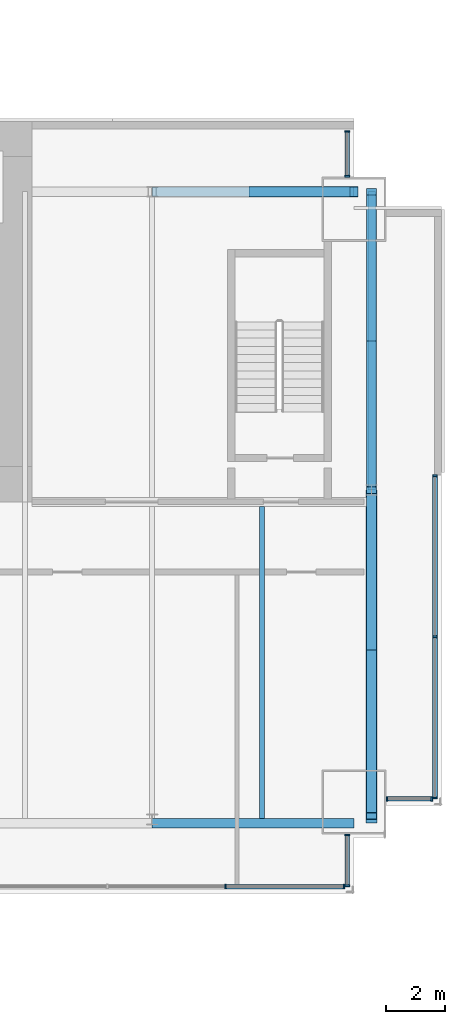
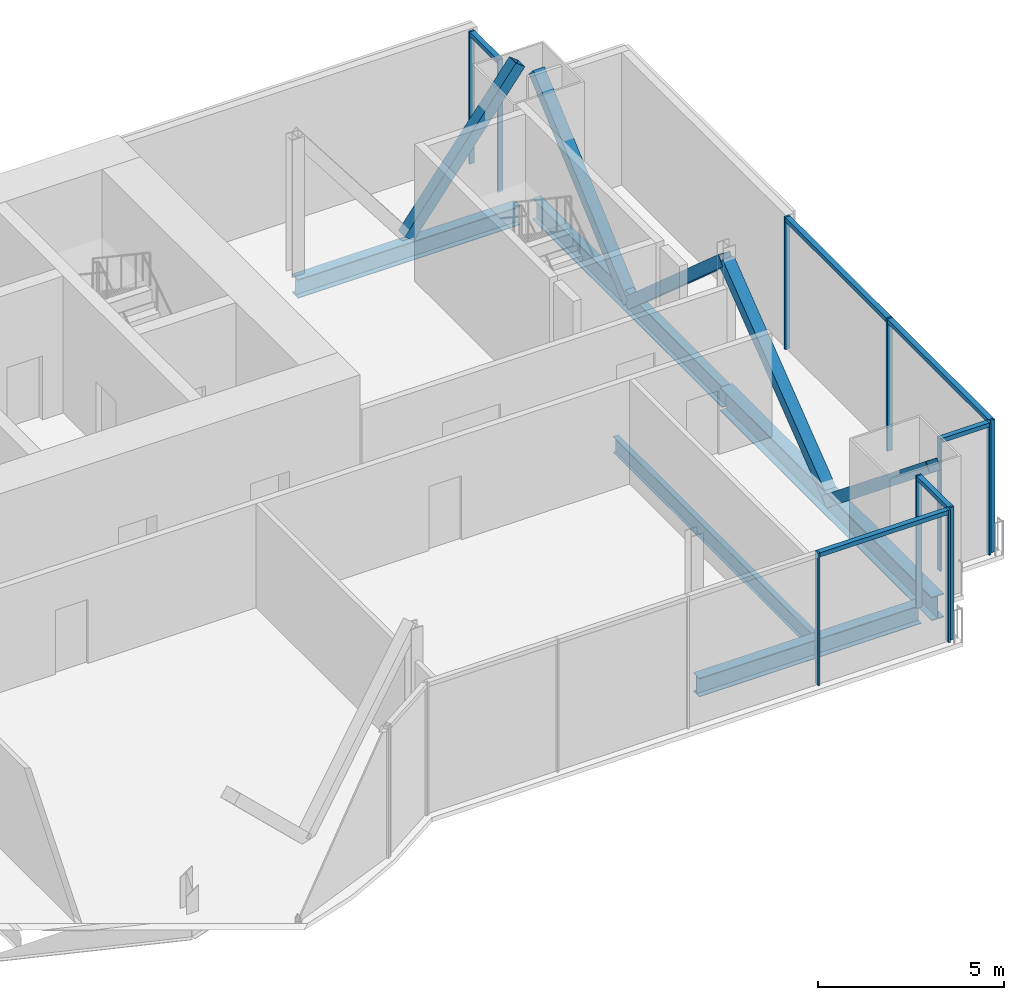
# One storey, part 10 of 18: 22 members, 5 beams, 5 elements without a shape of their own.
"""IFC4 building model written with IfcOpenShell, lengths in metres."""

import ifcopenshell
import ifcopenshell.guid

model = None  # the IFC model being written
_history = None  # IfcOwnerHistory: only IFC2X3 demands one
_inside = {}  # id of a spatial element -> (the spatial element, [elements in it])
_under = {}  # id of a project, library or spatial element -> (it, [spatial elements below it])
_declared = {}  # id of a project -> (the project, [libraries it declares])
_typed = {}  # id of a type object -> (the type object, [elements of that type])
_made_of = {}  # id of a material, layer set ... -> (it, [elements and type objects made of it])


def new_model(schema):
    """Start an empty IFC model of exactly this schema.

    Asked for "IFC4X3", IfcOpenShell would pick the latest addendum, in which some entities
    have other attributes; the version numbers below select the first issue.
    IFC2X3 requires an IfcOwnerHistory on every rooted entity: one is made here for all.
    """
    global model, _history
    if schema == "IFC4X3":
        model = ifcopenshell.file(schema_version=(4, 3, 0, 0))
    else:
        model = ifcopenshell.file(schema=schema)
    _inside.clear()
    _under.clear()
    _declared.clear()
    _typed.clear()
    _made_of.clear()
    _history = None
    if model.schema == "IFC2X3":
        org = make("IfcOrganization", Name="unknown")
        user = make(
            "IfcPersonAndOrganization",
            ThePerson=make("IfcPerson", FamilyName="unknown"),
            TheOrganization=org,
        )
        app = make(
            "IfcApplication",
            ApplicationDeveloper=org,
            Version="unknown",
            ApplicationFullName="unknown",
            ApplicationIdentifier="unknown",
        )
        _history = make(
            "IfcOwnerHistory",
            OwningUser=user,
            OwningApplication=app,
            ChangeAction="ADDED",
            CreationDate=0,
        )
    return model


def make(cls, **values):
    """One entity of the class cls with the attributes given. An attribute that is None is left unset."""
    return model.create_entity(
        cls, **{name: value for name, value in values.items() if value is not None}
    )


def rooted(cls, **values):
    """An entity with a GlobalId (a new one), such as an element, a storey or a relation."""
    return make(cls, GlobalId=ifcopenshell.guid.new(), OwnerHistory=_history, **values)


def si_unit(unit_type, name, prefix=None):
    """IfcSIUnit, for example si_unit("LENGTHUNIT", "METRE", prefix="MILLI")."""
    return make("IfcSIUnit", UnitType=unit_type, Prefix=prefix, Name=name)


def assignment(units):
    """IfcUnitAssignment: the units of a project."""
    return None if units is None else make("IfcUnitAssignment", Units=units)


def point(xyz):
    """IfcCartesianPoint."""
    return None if xyz is None else make("IfcCartesianPoint", Coordinates=xyz)


def direction(xyz):
    """IfcDirection."""
    return None if xyz is None else make("IfcDirection", DirectionRatios=xyz)


def frame(location, z_axis=None, x_axis=None):
    """IfcAxis2Placement3D, a coordinate frame: its origin and axes. An axis left out is left unset."""
    return make(
        "IfcAxis2Placement3D",
        Location=point(location),
        Axis=direction(z_axis),
        RefDirection=direction(x_axis),
    )


def frame_2d(location, x_axis=None):
    """IfcAxis2Placement2D, a coordinate frame in the plane: its origin and x axis."""
    return make(
        "IfcAxis2Placement2D", Location=point(location), RefDirection=direction(x_axis)
    )


def origin():
    """The frame at (0, 0, 0) with its axes left unset."""
    return frame((0.0, 0.0, 0.0))


def origin_2d():
    """The frame at (0, 0) in the plane with its x axis left unset."""
    return frame_2d((0.0, 0.0))


def place(relative_to, where):
    """IfcLocalPlacement: puts the frame where relative to a parent placement (None: the world)."""
    return make(
        "IfcLocalPlacement", PlacementRelTo=relative_to, RelativePlacement=where
    )


def context(
    kind, dimensions, precision=None, world=None, true_north=None, identifier=None
):
    """IfcGeometricRepresentationContext, for example the 3D "Model" context."""
    return make(
        "IfcGeometricRepresentationContext",
        ContextIdentifier=identifier,
        ContextType=kind,
        CoordinateSpaceDimension=dimensions,
        Precision=precision,
        WorldCoordinateSystem=world,
        TrueNorth=true_north,
    )


def subcontext(parent, identifier, kind, view, scale=None):
    """IfcGeometricRepresentationSubContext, for example "Body" below "Model"."""
    return make(
        "IfcGeometricRepresentationSubContext",
        ContextIdentifier=identifier,
        ContextType=kind,
        ParentContext=parent,
        TargetScale=scale,
        TargetView=view,
    )


def project(units=None, contexts=None):
    """IfcProject with its units and contexts."""
    return rooted(
        "IfcProject",
        Name="project",
        RepresentationContexts=contexts,
        UnitsInContext=assignment(units),
    )


def spatial(cls, under=None, at=None, **own):
    """A site, building, storey or space (cls), placed at a placement, below another one or the project."""
    s = rooted(cls, ObjectPlacement=at, **own)
    if under is not None:
        _under.setdefault(under.id(), (under, []))[1].append(s)
    return s


def profile(cls, at=None, kind="AREA", **sizes):
    """A parametric profile (cls). Its sizes go by their IFC names, for example OverallWidth=200.0."""
    return make(cls, ProfileType=kind, Position=at, **sizes)


def rectangle(**sizes):
    """IfcRectangleProfileDef."""
    return profile("IfcRectangleProfileDef", **sizes)


def hollow_rectangle(**sizes):
    """IfcRectangleHollowProfileDef."""
    return profile("IfcRectangleHollowProfileDef", **sizes)


def i_section(**sizes):
    """IfcIShapeProfileDef."""
    return profile("IfcIShapeProfileDef", **sizes)


def extrude(swept, where, along, depth):
    """IfcExtrudedAreaSolid: the profile swept, set in the frame where, extruded along a direction by depth."""
    return make(
        "IfcExtrudedAreaSolid",
        SweptArea=swept,
        Position=where,
        ExtrudedDirection=direction(along),
        Depth=depth,
    )


def shape(context_of_items, identifier, shape_type, items):
    """IfcShapeRepresentation: the items that make up one representation, for example the "Body"."""
    return make(
        "IfcShapeRepresentation",
        ContextOfItems=context_of_items,
        RepresentationIdentifier=identifier,
        RepresentationType=shape_type,
        Items=items,
    )


def material(Name=None, Category=None):
    """IfcMaterial."""
    return make("IfcMaterial", Name=Name, Category=Category)


def material_profile(
    of_material, cross_section, Name=None, Category=None, Priority=None
):
    """IfcMaterialProfile: a cross section and its material."""
    return make(
        "IfcMaterialProfile",
        Name=Name,
        Material=of_material,
        Profile=cross_section,
        Priority=Priority,
        Category=Category,
    )


def profile_set(profiles, Name=None, composite=None):
    """IfcMaterialProfileSet."""
    return make(
        "IfcMaterialProfileSet",
        Name=Name,
        MaterialProfiles=profiles,
        CompositeProfile=composite,
    )


def made_of(thing, what):
    """Note that an element or type object is made of a material, layer set ...; save() writes the relation."""
    if what is not None:
        _made_of.setdefault(what.id(), (what, []))[1].append(thing)
    return thing


def type_object(cls, material=None, **own):
    """A type object (cls), such as IfcWallType, which elements share."""
    return made_of(rooted(cls, **own), material)


def element(
    cls,
    number,
    at=None,
    inside=None,
    cuts=None,
    type_object=None,
    material=None,
    context=None,
    identifier="Body",
    shape_type=None,
    held_by="IfcProductDefinitionShape",
    body=None,
    shapes=None,
    **own,
):
    """One element of the class cls, such as IfcWall. Its Tag is "e" and its number.

    at: its placement. inside: the storey or other place that contains it. cuts: it is an
    opening in that element (IfcRelVoidsElement). A single representation is given by context,
    identifier, shape_type and body (its items); several are given by shapes. held_by: the class
    of the entity that holds the representations. save() writes the other relations.
    """
    e = rooted(cls, Tag="e%d" % number, ObjectPlacement=at, **own)
    if body is not None:
        shapes = [shape(context, identifier, shape_type, body)]
    if shapes is not None:
        e.Representation = make(held_by, Representations=shapes)
    if inside is not None:
        _inside.setdefault(inside.id(), (inside, []))[1].append(e)
    if cuts is not None:
        rooted(
            "IfcRelVoidsElement", RelatingBuildingElement=cuts, RelatedOpeningElement=e
        )
    if type_object is not None:
        _typed.setdefault(type_object.id(), (type_object, []))[1].append(e)
    return made_of(e, material)


def aggregate(whole, parts):
    """IfcRelAggregates: a whole, such as a stair, and the parts it consists of."""
    return rooted("IfcRelAggregates", RelatingObject=whole, RelatedObjects=parts)


def save(model, path):
    """Write the relations noted so far, then the file.

    IfcRelAggregates (storeys below a building ...), IfcRelContainedInSpatialStructure (elements
    in a storey), IfcRelDefinesByType, IfcRelAssociatesMaterial and IfcRelDeclares: one each for
    every whole, place, type object, material and project.
    """
    for whole, parts in _under.values():
        aggregate(whole, parts)
    for where, things in _inside.values():
        rooted(
            "IfcRelContainedInSpatialStructure",
            RelatedElements=things,
            RelatingStructure=where,
        )
    for kind, things in _typed.values():
        rooted("IfcRelDefinesByType", RelatedObjects=things, RelatingType=kind)
    for what, things in _made_of.values():
        rooted("IfcRelAssociatesMaterial", RelatedObjects=things, RelatingMaterial=what)
    for by, libraries in _declared.values():
        rooted("IfcRelDeclares", RelatingContext=by, RelatedDefinitions=libraries)
    model.write(path)


model = new_model("IFC4")

# Units and contexts
model_context = context("Model", 3, precision=1e-05, world=origin(), true_north=direction((0.0, 1.0)))
body_context = subcontext(model_context, "Body", "Model", "MODEL_VIEW")
ifc_project = project(units=[si_unit("LENGTHUNIT", "METRE"), si_unit("AREAUNIT", "SQUARE_METRE"), si_unit("VOLUMEUNIT", "CUBIC_METRE"), si_unit("PLANEANGLEUNIT", "RADIAN"), si_unit("MASSUNIT", "GRAM", prefix="KILO")], contexts=[model_context])

# Site, building, storey
site_placement = place(None, origin())
site = spatial("IfcSite", under=ifc_project, at=site_placement, CompositionType="ELEMENT")
building_placement = place(site_placement, origin())
building = spatial("IfcBuilding", under=site, at=building_placement, Name="Bicima Exchange Tower", CompositionType="ELEMENT")
storey_placement = place(building_placement, frame((0.0, 0.0, 311.0)))
storey = spatial("IfcBuildingStorey", under=building, at=storey_placement, Name="L70", CompositionType="ELEMENT", Elevation=311.0)

# Curtain wall, members
ifc_material_1 = material(Name="Anodised bronze aluminium", Category="aluminium")
curtain_wall_type_1 = type_object("IfcCurtainWallType", Name="End face glass wall", PredefinedType="NOTDEFINED", material=ifc_material_1)
curtain_wall_1_placement = place(storey_placement, origin())
curtain_wall_1 = element("IfcCurtainWall", 1, at=curtain_wall_1_placement, inside=storey, type_object=curtain_wall_type_1, Name="End face glass wall L70 run 19", PredefinedType="NOTDEFINED")
ifc_material_profile_1 = material_profile(ifc_material_1, rectangle(XDim=0.159912109375, YDim=0.06005859375, at=origin_2d()))
ifc_profile_set_1 = profile_set([ifc_material_profile_1], Name="Anodised bronze aluminium")
member_type_1 = type_object("IfcMemberType", Name="End face glass wall mullion 60 x 160", PredefinedType="MULLION", material=ifc_profile_set_1)
member_1_placement = place(storey_placement, frame((35.77001953125, -23.1240234375, 0.0), z_axis=(0.0, 0.0, 1.0), x_axis=(-1.0, 0.0, 0.0)))
member_1 = element("IfcMember", 2, at=member_1_placement, type_object=member_type_1, Name="End face glass wall mullion 1", PredefinedType="MULLION", context=body_context, shape_type="SweptSolid", body=[
    extrude(rectangle(XDim=0.159912109375, YDim=0.06005859375, at=origin_2d()), origin(), (0.0, 0.0, 1.0), 4.35009765625),
])
member_2_placement = place(storey_placement, frame((35.77001953125, -17.616943359375, 0.0), z_axis=(0.0, 0.0, 1.0), x_axis=(-1.0, 0.0, 0.0)))
member_2 = element("IfcMember", 3, at=member_2_placement, type_object=member_type_1, Name="End face glass wall mullion 2", PredefinedType="MULLION", context=body_context, shape_type="SweptSolid", body=[
    extrude(rectangle(XDim=0.159912109375, YDim=0.06005859375, at=origin_2d()), origin(), (0.0, 0.0, 1.0), 4.35009765625),
])
member_3_placement = place(storey_placement, frame((35.77001953125, -12.110107421875, 0.0), z_axis=(0.0, 0.0, 1.0), x_axis=(-1.0, 0.0, 0.0)))
member_3 = element("IfcMember", 4, at=member_3_placement, type_object=member_type_1, Name="End face glass wall mullion 3", PredefinedType="MULLION", context=body_context, shape_type="SweptSolid", body=[
    extrude(rectangle(XDim=0.159912109375, YDim=0.06005859375, at=origin_2d()), origin(), (0.0, 0.0, 1.0), 4.35009765625),
])
ifc_material_profile_2 = material_profile(ifc_material_1, rectangle(XDim=0.159912109375, YDim=0.139892578125, at=origin_2d()))
ifc_profile_set_2 = profile_set([ifc_material_profile_2], Name="Anodised bronze aluminium")
member_type_2 = type_object("IfcMemberType", Name="End face glass wall transom 140 x 160", PredefinedType="USERDEFINED", material=ifc_profile_set_2)
member_4_placement = place(storey_placement, frame((35.77001953125, -23.093994140625, 4.280029296875), z_axis=(0.0, 1.0, 0.0), x_axis=(-1.0, 0.0, 0.0)))
member_4 = element("IfcMember", 5, at=member_4_placement, type_object=member_type_2, Name="End face glass wall transom 1.1", ObjectType="TRANSOM", PredefinedType="USERDEFINED", context=body_context, shape_type="SweptSolid", body=[
    extrude(rectangle(XDim=0.159912109375, YDim=0.139892578125, at=origin_2d()), origin(), (0.0, 0.0, 1.0), 5.447021484375),
])
member_5_placement = place(storey_placement, frame((35.77001953125, -17.5869140625, 4.280029296875), z_axis=(0.0, 1.0, 0.0), x_axis=(-1.0, 0.0, 0.0)))
member_5 = element("IfcMember", 6, at=member_5_placement, type_object=member_type_2, Name="End face glass wall transom 2.1", ObjectType="TRANSOM", PredefinedType="USERDEFINED", context=body_context, shape_type="SweptSolid", body=[
    extrude(rectangle(XDim=0.159912109375, YDim=0.139892578125, at=origin_2d()), origin(), (0.0, 0.0, 1.0), 5.447021484375),
])
aggregate(curtain_wall_1, [member_1, member_2, member_3, member_4, member_5])

# Beams
ifc_material_2 = material(Name="Steel ASTM A992 Gr 50", Category="steel")
ifc_material_profile_3 = material_profile(ifc_material_2, i_section(OverallWidth=0.256591796875, OverallDepth=0.693359375, WebThickness=0.014404296875, FlangeThickness=0.023681640625, at=origin_2d()))
ifc_profile_set_3 = profile_set([ifc_material_profile_3], Name="Steel ASTM A992 Gr 50")
beam_type_1 = type_object("IfcBeamType", Name="End girder W27x114", PredefinedType="BEAM", material=ifc_profile_set_3)
beam_1_placement = place(storey_placement, frame((33.60009765625, -2.39990234375, -0.49658203125), z_axis=(0.0, -1.0, 0.0), x_axis=(1.0, 0.0, 0.0)))
element("IfcBeam", 7, at=beam_1_placement, inside=storey, type_object=beam_type_1, Name="End girder", PredefinedType="BEAM", context=body_context, shape_type="SweptSolid", body=[
    extrude(i_section(OverallWidth=0.256591796875, OverallDepth=0.693359375, WebThickness=0.014404296875, FlangeThickness=0.023681640625, at=origin_2d()), origin(), (0.0, 0.0, 1.0), 10.2001953125),
])
ifc_material_profile_4 = material_profile(ifc_material_2, i_section(OverallWidth=0.381103515625, OverallDepth=0.772216796875, WebThickness=0.0166015625, FlangeThickness=0.027099609375, at=origin_2d()))
ifc_profile_set_4 = profile_set([ifc_material_profile_4], Name="Steel ASTM A992 Gr 50")
beam_type_2 = type_object("IfcBeamType", Name="End girder W30x173", PredefinedType="BEAM", material=ifc_profile_set_4)
beam_2_placement = place(storey_placement, frame((33.60009765625, -12.60009765625, -0.5361328125), z_axis=(0.0, -1.0, 0.0), x_axis=(1.0, 0.0, 0.0)))
element("IfcBeam", 8, at=beam_2_placement, inside=storey, type_object=beam_type_2, Name="End girder", PredefinedType="BEAM", context=body_context, shape_type="SweptSolid", body=[
    extrude(i_section(OverallWidth=0.381103515625, OverallDepth=0.772216796875, WebThickness=0.0166015625, FlangeThickness=0.027099609375, at=origin_2d()), origin(), (0.0, 0.0, 1.0), 11.3837890625),
])
ifc_material_profile_5 = material_profile(ifc_material_2, i_section(OverallWidth=0.165771484375, OverallDepth=0.5283203125, WebThickness=0.009765625, FlangeThickness=0.013671875, at=origin_2d()))
ifc_profile_set_5 = profile_set([ifc_material_profile_5], Name="Steel ASTM A992 Gr 50")
beam_type_3 = type_object("IfcBeamType", Name="Floor beam W21x50", PredefinedType="JOIST", material=ifc_profile_set_5)
beam_3_placement = place(storey_placement, frame((29.85009765625, -13.15234375, -0.414306640625), z_axis=(0.0, -1.0, 0.0), x_axis=(1.0, 0.0, 0.0)))
element("IfcBeam", 9, at=beam_3_placement, inside=storey, type_object=beam_type_3, Name="Floor beam", PredefinedType="JOIST", context=body_context, shape_type="SweptSolid", body=[
    extrude(i_section(OverallWidth=0.165771484375, OverallDepth=0.5283203125, WebThickness=0.009765625, FlangeThickness=0.013671875, at=origin_2d()), origin(), (0.0, 0.0, 1.0), 10.6689453125),
])
ifc_material_profile_6 = material_profile(ifc_material_2, i_section(OverallWidth=0.3251953125, OverallDepth=0.612060546875, WebThickness=0.0126953125, FlangeThickness=0.01904296875, at=origin_2d()))
ifc_profile_set_6 = profile_set([ifc_material_profile_6], Name="Steel ASTM A992 Gr 50")
beam_type_4 = type_object("IfcBeamType", Name="Front girder W24x104", PredefinedType="BEAM", material=ifc_profile_set_6)
beam_4_placement = place(storey_placement, frame((26.10009765625, -23.98388671875, -0.4560546875), z_axis=(1.0, 0.0, 0.0), x_axis=(0.0, 1.0, 0.0)))
element("IfcBeam", 10, at=beam_4_placement, inside=storey, type_object=beam_type_4, Name="Front girder", PredefinedType="BEAM", context=body_context, shape_type="SweptSolid", body=[
    extrude(i_section(OverallWidth=0.3251953125, OverallDepth=0.612060546875, WebThickness=0.0126953125, FlangeThickness=0.01904296875, at=origin_2d()), origin(), (0.0, 0.0, 1.0), 6.89990234375),
])

# Curtain wall, members
curtain_wall_type_2 = type_object("IfcCurtainWallType", Name="Front glass wall", PredefinedType="NOTDEFINED", material=ifc_material_1)
curtain_wall_2_placement = place(storey_placement, origin())
curtain_wall_2 = element("IfcCurtainWall", 11, at=curtain_wall_2_placement, inside=storey, type_object=curtain_wall_type_2, Name="Front glass wall L70 run 16", PredefinedType="NOTDEFINED")
member_type_3 = type_object("IfcMemberType", Name="Front glass wall mullion 60 x 160", PredefinedType="MULLION", material=ifc_profile_set_1)
member_6_placement = place(storey_placement, frame((28.610595703125, -26.154052734375, 0.0), z_axis=(0.0, 0.0, 1.0), x_axis=(0.0, 1.0, 0.0)))
member_6 = element("IfcMember", 12, at=member_6_placement, type_object=member_type_3, Name="Front glass wall mullion 4", PredefinedType="MULLION", context=body_context, shape_type="SweptSolid", body=[
    extrude(rectangle(XDim=0.159912109375, YDim=0.06005859375, at=origin_2d()), origin(), (0.0, 0.0, 1.0), 4.35009765625),
])
member_7_placement = place(storey_placement, frame((32.659912109375, -26.154052734375, 0.0), z_axis=(0.0, 0.0, 1.0), x_axis=(0.0, 1.0, 0.0)))
member_7 = element("IfcMember", 13, at=member_7_placement, type_object=member_type_3, Name="Front glass wall mullion 5", PredefinedType="MULLION", context=body_context, shape_type="SweptSolid", body=[
    extrude(rectangle(XDim=0.159912109375, YDim=0.06005859375, at=origin_2d()), origin(), (0.0, 0.0, 1.0), 4.35009765625),
])

curtain_wall_3_placement = place(storey_placement, origin())
curtain_wall_3 = element("IfcCurtainWall", 14, at=curtain_wall_3_placement, inside=storey, type_object=curtain_wall_type_2, Name="Front glass wall L70 run 17", PredefinedType="NOTDEFINED")
member_8_placement = place(storey_placement, frame((32.77001953125, -26.1240234375, 0.0), z_axis=(0.0, 0.0, 1.0), x_axis=(-1.0, 0.0, 0.0)))
member_8 = element("IfcMember", 15, at=member_8_placement, type_object=member_type_3, Name="Front glass wall mullion 1", PredefinedType="MULLION", context=body_context, shape_type="SweptSolid", body=[
    extrude(rectangle(XDim=0.159912109375, YDim=0.06005859375, at=origin_2d()), origin(), (0.0, 0.0, 1.0), 4.35009765625),
])
member_9_placement = place(storey_placement, frame((32.77001953125, -24.39208984375, 0.0), z_axis=(0.0, 0.0, 1.0), x_axis=(-1.0, 0.0, 0.0)))
member_9 = element("IfcMember", 16, at=member_9_placement, type_object=member_type_3, Name="Front glass wall mullion 2", PredefinedType="MULLION", context=body_context, shape_type="SweptSolid", body=[
    extrude(rectangle(XDim=0.159912109375, YDim=0.06005859375, at=origin_2d()), origin(), (0.0, 0.0, 1.0), 4.35009765625),
])

curtain_wall_4_placement = place(storey_placement, origin())
curtain_wall_4 = element("IfcCurtainWall", 17, at=curtain_wall_4_placement, inside=storey, type_object=curtain_wall_type_2, Name="Front glass wall L70 run 18", PredefinedType="NOTDEFINED")
member_10_placement = place(storey_placement, frame((34.1298828125, -23.154052734375, 0.0), z_axis=(0.0, 0.0, 1.0), x_axis=(0.0, 1.0, 0.0)))
member_10 = element("IfcMember", 18, at=member_10_placement, type_object=member_type_3, Name="Front glass wall mullion 1", PredefinedType="MULLION", context=body_context, shape_type="SweptSolid", body=[
    extrude(rectangle(XDim=0.159912109375, YDim=0.06005859375, at=origin_2d()), origin(), (0.0, 0.0, 1.0), 4.35009765625),
])
member_11_placement = place(storey_placement, frame((35.659912109375, -23.154052734375, 0.0), z_axis=(0.0, 0.0, 1.0), x_axis=(0.0, 1.0, 0.0)))
member_11 = element("IfcMember", 19, at=member_11_placement, type_object=member_type_3, Name="Front glass wall mullion 2", PredefinedType="MULLION", context=body_context, shape_type="SweptSolid", body=[
    extrude(rectangle(XDim=0.159912109375, YDim=0.06005859375, at=origin_2d()), origin(), (0.0, 0.0, 1.0), 4.35009765625),
])

curtain_wall_5_placement = place(storey_placement, origin())
curtain_wall_5 = element("IfcCurtainWall", 20, at=curtain_wall_5_placement, inside=storey, type_object=curtain_wall_type_2, Name="Front glass wall L70 run 20", PredefinedType="NOTDEFINED")
member_12_placement = place(storey_placement, frame((32.77001953125, -1.8701171875, 0.0), z_axis=(0.0, 0.0, 1.0), x_axis=(-1.0, 0.0, 0.0)))
member_12 = element("IfcMember", 21, at=member_12_placement, type_object=member_type_3, Name="Front glass wall mullion 1", PredefinedType="MULLION", context=body_context, shape_type="SweptSolid", body=[
    extrude(rectangle(XDim=0.159912109375, YDim=0.06005859375, at=origin_2d()), origin(), (0.0, 0.0, 1.0), 4.35009765625),
])
member_13_placement = place(storey_placement, frame((32.77001953125, -0.340087890625, 0.0), z_axis=(0.0, 0.0, 1.0), x_axis=(-1.0, 0.0, 0.0)))
member_13 = element("IfcMember", 22, at=member_13_placement, type_object=member_type_3, Name="Front glass wall mullion 2", PredefinedType="MULLION", context=body_context, shape_type="SweptSolid", body=[
    extrude(rectangle(XDim=0.159912109375, YDim=0.06005859375, at=origin_2d()), origin(), (0.0, 0.0, 1.0), 4.35009765625),
])

# Member
member_type_4 = type_object("IfcMemberType", Name="Front glass wall transom 140 x 160", PredefinedType="USERDEFINED", material=ifc_profile_set_2)
member_14_placement = place(storey_placement, frame((28.640380859375, -26.154052734375, 4.280029296875), z_axis=(1.0, 0.0, 0.0), x_axis=(0.0, 1.0, 0.0)))
member_14 = element("IfcMember", 23, at=member_14_placement, type_object=member_type_4, Name="Front glass wall transom 4.1", ObjectType="TRANSOM", PredefinedType="USERDEFINED", context=body_context, shape_type="SweptSolid", body=[
    extrude(rectangle(XDim=0.159912109375, YDim=0.139892578125, at=origin_2d()), origin(), (0.0, 0.0, 1.0), 3.989501953125),
])

aggregate(curtain_wall_2, [member_6, member_7, member_14])

member_15_placement = place(storey_placement, frame((32.77001953125, -26.093994140625, 4.280029296875), z_axis=(0.0, 1.0, 0.0), x_axis=(-1.0, 0.0, 0.0)))
member_15 = element("IfcMember", 24, at=member_15_placement, type_object=member_type_4, Name="Front glass wall transom 1.1", ObjectType="TRANSOM", PredefinedType="USERDEFINED", context=body_context, shape_type="SweptSolid", body=[
    extrude(rectangle(XDim=0.159912109375, YDim=0.139892578125, at=origin_2d()), origin(), (0.0, 0.0, 1.0), 1.671875),
])

aggregate(curtain_wall_3, [member_8, member_9, member_15])

member_16_placement = place(storey_placement, frame((34.159912109375, -23.154052734375, 4.280029296875), z_axis=(1.0, 0.0, 0.0), x_axis=(0.0, 1.0, 0.0)))
member_16 = element("IfcMember", 25, at=member_16_placement, type_object=member_type_4, Name="Front glass wall transom 1.1", ObjectType="TRANSOM", PredefinedType="USERDEFINED", context=body_context, shape_type="SweptSolid", body=[
    extrude(rectangle(XDim=0.159912109375, YDim=0.139892578125, at=origin_2d()), origin(), (0.0, 0.0, 1.0), 1.469970703125),
])

aggregate(curtain_wall_4, [member_10, member_11, member_16])

member_17_placement = place(storey_placement, frame((32.77001953125, -1.840087890625, 4.280029296875), z_axis=(0.0, 1.0, 0.0), x_axis=(-1.0, 0.0, 0.0)))
member_17 = element("IfcMember", 26, at=member_17_placement, type_object=member_type_4, Name="Front glass wall transom 1.1", ObjectType="TRANSOM", PredefinedType="USERDEFINED", context=body_context, shape_type="SweptSolid", body=[
    extrude(rectangle(XDim=0.159912109375, YDim=0.139892578125, at=origin_2d()), origin(), (0.0, 0.0, 1.0), 1.469970703125),
])

aggregate(curtain_wall_5, [member_12, member_13, member_17])

# Members
ifc_material_3 = material(Name="Steel ASTM A572 Gr 50", Category="steel")
ifc_material_profile_7 = material_profile(ifc_material_3, hollow_rectangle(XDim=0.355712890625, YDim=0.355712890625, WallThickness=0.01171875, at=origin_2d()))
ifc_profile_set_7 = profile_set([ifc_material_profile_7], Name="Steel ASTM A572 Gr 50")
member_type_5 = type_object("IfcMemberType", Name="Mega brace HSS14x14x1/2", PredefinedType="BRACE", material=ifc_profile_set_7)
member_18_placement = place(storey_placement, frame((29.550048828125, -2.39990234375, 0.0), z_axis=(0.608426120198, 0.0, 0.793610519248), x_axis=(0.0, 1.0, 0.0)))
element("IfcMember", 27, at=member_18_placement, inside=storey, type_object=member_type_5, Name="Mega brace rear", PredefinedType="BRACE", context=body_context, shape_type="SweptSolid", body=[
    extrude(hollow_rectangle(XDim=0.355712890625, YDim=0.355712890625, WallThickness=0.01171875, at=origin_2d()), origin(), (0.0, 0.0, 1.0), 5.670166015625),
])
for number, where, z_axis, x_axis, name in (
    (28, (33.60009765625, -7.5, -0.49658203125), (0.0, -0.749844140428, 0.661614513948), (1.0, 0.0, 0.0), "Mega brace east end"),
    (29, (33.60009765625, -7.5, -0.49658203125), (0.0, 0.749844140428, 0.661614513948), (-1.0, 0.0, 0.0), "Mega brace east end"),
):
    element("IfcMember", number, at=place(storey_placement, frame(where, z_axis=z_axis, x_axis=x_axis)), inside=storey, type_object=member_type_5, Name=name, PredefinedType="BRACE", context=body_context, shape_type="SweptSolid", body=[
        extrude(hollow_rectangle(XDim=0.355712890625, YDim=0.355712890625, WallThickness=0.01171875, at=origin_2d()), origin(), (0.0, 0.0, 1.0), 6.801513671875),
    ])
member_19_placement = place(storey_placement, frame((33.60009765625, -18.169921875, -0.5361328125), z_axis=(0.0, -0.777866178956, 0.628429954439), x_axis=(1.0, 0.0, 0.0)))
element("IfcMember", 30, at=member_19_placement, inside=storey, type_object=member_type_5, Name="Mega brace east end", PredefinedType="BRACE", context=body_context, shape_type="SweptSolid", body=[
    extrude(hollow_rectangle(XDim=0.355712890625, YDim=0.355712890625, WallThickness=0.01171875, at=origin_2d()), origin(), (0.0, 0.0, 1.0), 7.16064453125),
])
member_20_placement = place(storey_placement, frame((33.60009765625, -18.4140625, -0.5361328125), z_axis=(0.0, 0.790798369519, 0.612076742546), x_axis=(-1.0, 0.0, 0.0)))
element("IfcMember", 31, at=member_20_placement, inside=storey, type_object=member_type_5, Name="Mega brace east end", PredefinedType="BRACE", context=body_context, shape_type="SweptSolid", body=[
    extrude(hollow_rectangle(XDim=0.355712890625, YDim=0.355712890625, WallThickness=0.01171875, at=origin_2d()), origin(), (0.0, 0.0, 1.0), 7.35205078125),
])

# Beam
beam_type_5 = type_object("IfcBeamType", Name="Rear girder W24x104", PredefinedType="BEAM", material=ifc_profile_set_6)
beam_5_placement = place(storey_placement, frame((26.10009765625, -2.39990234375, -0.4560546875), z_axis=(1.0, 0.0, 0.0), x_axis=(0.0, 1.0, 0.0)))
element("IfcBeam", 32, at=beam_5_placement, inside=storey, type_object=beam_type_5, Name="Rear girder", PredefinedType="BEAM", context=body_context, shape_type="SweptSolid", body=[
    extrude(i_section(OverallWidth=0.3251953125, OverallDepth=0.612060546875, WebThickness=0.0126953125, FlangeThickness=0.01904296875, at=origin_2d()), origin(), (0.0, 0.0, 1.0), 6.89990234375),
])

save(model, "model.ifc")
